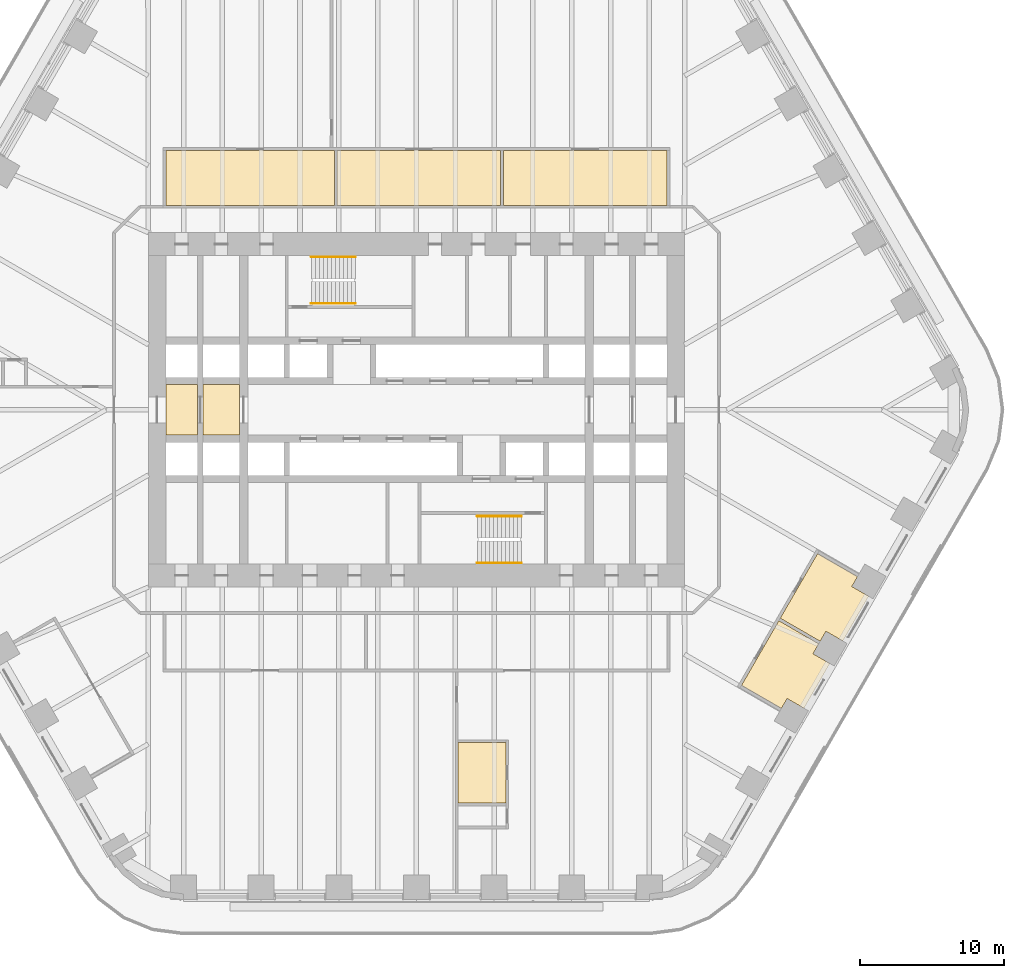
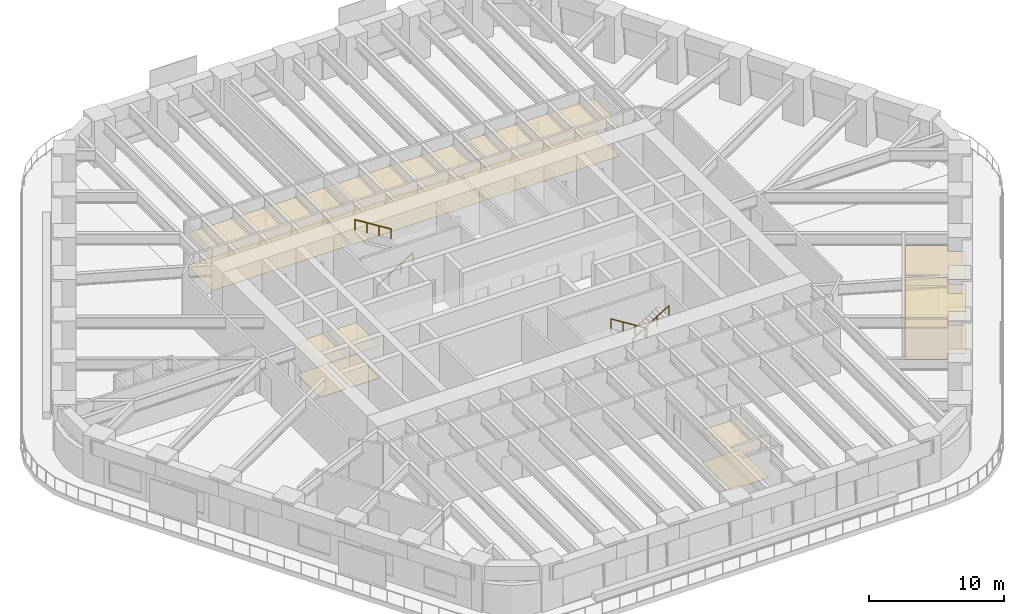
# One storey, part 21 of 23: 6 coverings, 4 railings.
"""IFC4 building model written with IfcOpenShell, lengths in metres."""

from ifc_helpers import new_model, si_unit, direction, frame, origin, origin_2d, place, context, subcontext, project, spatial, polyline, circle, outline, extrude, material, layer, layer_set, type_object, element, save


model = new_model("IFC4")

# Units and contexts
model_context = context("Model", 3, precision=1e-05, world=origin(), true_north=direction((0.0, 1.0)))
body_context = subcontext(model_context, "Body", "Model", "MODEL_VIEW")
ifc_project = project(units=[si_unit("LENGTHUNIT", "METRE"), si_unit("AREAUNIT", "SQUARE_METRE"), si_unit("VOLUMEUNIT", "CUBIC_METRE"), si_unit("PLANEANGLEUNIT", "RADIAN"), si_unit("MASSUNIT", "GRAM", prefix="KILO")], contexts=[model_context])

# Site, building, storey
site_placement = place(None, origin())
site = spatial("IfcSite", under=ifc_project, at=site_placement, CompositionType="ELEMENT")
building_placement = place(site_placement, origin())
building = spatial("IfcBuilding", under=site, at=building_placement, Name="Tarfa Lantern Tower", CompositionType="ELEMENT")
storey_placement = place(building_placement, frame((0.0, 0.0, 86.5)))
storey = spatial("IfcBuildingStorey", under=building, at=storey_placement, Name="L19", CompositionType="ELEMENT", Elevation=86.5)

# Coverings
ifc_material_1 = material(Name="Mineral fibre acoustic tile on suspension grid", Category="finish")
ifc_layer_1 = layer(ifc_material_1, 0.02001953125)
ifc_layer_set_1 = layer_set([ifc_layer_1], Name="CL1 ACOUSTIC TILE CEILING 20")
covering_type_1 = type_object("IfcCoveringType", Name="CL1 ACOUSTIC TILE CEILING 20", PredefinedType="CEILING", material=ifc_layer_set_1)
covering_1_placement = place(storey_placement, frame((0.0, 0.0, 2.89990234375)))
element("IfcCovering", 1, at=covering_1_placement, inside=storey, type_object=covering_type_1, Name="Ceiling L19 CL1", PredefinedType="CEILING", context=body_context, shape_type="SweptSolid", body=[
    extrude(outline(polyline([(-17.39990234375, 18.0), (-5.699951171875, 18.0), (-5.699951171875, 14.199951171875), (-17.39990234375, 14.199951171875), (-17.39990234375, 18.0)])), origin(), (0.0, 0.0, 1.0), 0.02001953125),
    extrude(outline(polyline([(-5.5, 18.0), (5.85009765625, 18.0), (5.85009765625, 14.199951171875), (-5.5, 14.199951171875), (-5.5, 18.0)])), origin(), (0.0, 0.0, 1.0), 0.02001953125),
    extrude(outline(polyline([(6.050048828125, 18.0), (17.39990234375, 18.0), (17.39990234375, 14.199951171875), (6.050048828125, 14.199951171875), (6.050048828125, 18.0)])), origin(), (0.0, 0.0, 1.0), 0.02001953125),
    extrude(outline(polyline([(25.1513671875, -14.63671875), (27.922607421875, -16.236572265625), (27.522705078125, -16.929443359375), (28.691650390625, -17.6044921875), (26.8974609375, -20.712158203125), (25.728271484375, -20.037353515625), (25.328369140625, -20.72998046875), (22.55712890625, -19.130126953125), (25.1513671875, -14.63671875)])), origin(), (0.0, 0.0, 1.0), 0.02001953125),
    extrude(outline(polyline([(27.845703125, -9.969970703125), (30.616943359375, -11.56982421875), (30.217041015625, -12.2626953125), (31.385986328125, -12.937744140625), (29.591796875, -16.045654296875), (28.422607421875, -15.37060546875), (28.022705078125, -16.0634765625), (25.251220703125, -14.46337890625), (27.845703125, -9.969970703125)])), origin(), (0.0, 0.0, 1.0), 0.02001953125),
    extrude(outline(polyline([(6.199951171875, -27.300048828125), (2.89990234375, -27.300048828125), (2.89990234375, -23.10009765625), (6.199951171875, -23.10009765625), (6.199951171875, -27.300048828125)])), origin(), (0.0, 0.0, 1.0), 0.02001953125),
])
ifc_material_2 = material(Name="Powder-coated aluminium panel", Category="aluminium")
ifc_layer_2 = layer(ifc_material_2, 0.030029296875)
ifc_layer_set_2 = layer_set([ifc_layer_2], Name="CL3 METAL PANEL CEILING 30")
covering_type_2 = type_object("IfcCoveringType", Name="CL3 METAL PANEL CEILING 30", PredefinedType="CEILING", material=ifc_layer_set_2)
covering_2_placement = place(storey_placement, frame((0.0, 0.0, 2.89990234375)))
element("IfcCovering", 2, at=covering_2_placement, inside=storey, type_object=covering_type_2, Name="Ceiling L19-01", PredefinedType="CEILING", context=body_context, shape_type="SweptSolid", body=[
    extrude(outline(polyline([(-17.39990234375, -1.75), (-15.199951171875, -1.75), (-15.199951171875, 1.75), (-17.39990234375, 1.75), (-17.39990234375, -1.75)])), origin(), (0.0, 0.0, 1.0), 0.030029296875),
])
covering_3_placement = place(storey_placement, frame((0.0, 0.0, 2.89990234375)))
element("IfcCovering", 3, at=covering_3_placement, inside=storey, type_object=covering_type_2, Name="Ceiling L19-02", PredefinedType="CEILING", context=body_context, shape_type="SweptSolid", body=[
    extrude(outline(polyline([(-14.800048828125, -1.75), (-12.300048828125, -1.75), (-12.300048828125, 1.75), (-14.800048828125, 1.75), (-14.800048828125, -1.75)])), origin(), (0.0, 0.0, 1.0), 0.030029296875),
])
ifc_material_3 = material(Name="Nylon carpet tile", Category="finish")
ifc_layer_3 = layer(ifc_material_3, 0.010009765625)
ifc_layer_set_3 = layer_set([ifc_layer_3], Name="FL1 CARPET TILE 10")
covering_type_3 = type_object("IfcCoveringType", Name="FL1 CARPET TILE 10", PredefinedType="FLOORING", material=ifc_layer_set_3)
covering_4_placement = place(storey_placement, origin())
element("IfcCovering", 4, at=covering_4_placement, inside=storey, type_object=covering_type_3, Name="Floor finish L19 FL1", PredefinedType="FLOORING", context=body_context, shape_type="SweptSolid", body=[
    extrude(outline(polyline([(-17.39990234375, 18.0), (-5.699951171875, 18.0), (-5.699951171875, 14.199951171875), (-17.39990234375, 14.199951171875), (-17.39990234375, 18.0)])), origin(), (0.0, 0.0, 1.0), 0.010009765625),
    extrude(outline(polyline([(-5.5, 18.0), (5.85009765625, 18.0), (5.85009765625, 14.199951171875), (-5.5, 14.199951171875), (-5.5, 18.0)])), origin(), (0.0, 0.0, 1.0), 0.010009765625),
    extrude(outline(polyline([(6.050048828125, 18.0), (17.39990234375, 18.0), (17.39990234375, 14.199951171875), (6.050048828125, 14.199951171875), (6.050048828125, 18.0)])), origin(), (0.0, 0.0, 1.0), 0.010009765625),
    extrude(outline(polyline([(25.1513671875, -14.63671875), (27.922607421875, -16.236572265625), (27.522705078125, -16.929443359375), (28.691650390625, -17.6044921875), (26.8974609375, -20.712158203125), (25.728271484375, -20.037353515625), (25.328369140625, -20.72998046875), (22.55712890625, -19.130126953125), (25.1513671875, -14.63671875)])), origin(), (0.0, 0.0, 1.0), 0.010009765625),
    extrude(outline(polyline([(27.845703125, -9.969970703125), (30.616943359375, -11.56982421875), (30.217041015625, -12.2626953125), (31.385986328125, -12.937744140625), (29.591796875, -16.045654296875), (28.422607421875, -15.37060546875), (28.022705078125, -16.0634765625), (25.251220703125, -14.46337890625), (27.845703125, -9.969970703125)])), origin(), (0.0, 0.0, 1.0), 0.010009765625),
    extrude(outline(polyline([(6.199951171875, -27.300048828125), (2.89990234375, -27.300048828125), (2.89990234375, -23.10009765625), (6.199951171875, -23.10009765625), (6.199951171875, -27.300048828125)])), origin(), (0.0, 0.0, 1.0), 0.010009765625),
])
ifc_material_4 = material(Name="Honed limestone flooring", Category="masonry")
ifc_layer_4 = layer(ifc_material_4, 0.030029296875)
ifc_layer_set_4 = layer_set([ifc_layer_4], Name="FL2 STONE FLOORING 30")
covering_type_4 = type_object("IfcCoveringType", Name="FL2 STONE FLOORING 30", PredefinedType="FLOORING", material=ifc_layer_set_4)
covering_5_placement = place(storey_placement, origin())
element("IfcCovering", 5, at=covering_5_placement, inside=storey, type_object=covering_type_4, Name="Floor finish L19-01", PredefinedType="FLOORING", context=body_context, shape_type="SweptSolid", body=[
    extrude(outline(polyline([(-17.39990234375, -1.75), (-15.199951171875, -1.75), (-15.199951171875, 1.75), (-17.39990234375, 1.75), (-17.39990234375, -1.75)])), origin(), (0.0, 0.0, 1.0), 0.030029296875),
])
covering_6_placement = place(storey_placement, origin())
element("IfcCovering", 6, at=covering_6_placement, inside=storey, type_object=covering_type_4, Name="Floor finish L19-02", PredefinedType="FLOORING", context=body_context, shape_type="SweptSolid", body=[
    extrude(outline(polyline([(-14.800048828125, -1.75), (-12.300048828125, -1.75), (-12.300048828125, 1.75), (-14.800048828125, 1.75), (-14.800048828125, -1.75)])), origin(), (0.0, 0.0, 1.0), 0.030029296875),
])

# Railings
ifc_material_5 = material(Name="Stainless steel", Category="steel")
railing_type = type_object("IfcRailingType", Name="HR1 HANDRAIL 900", PredefinedType="HANDRAIL", material=ifc_material_5)
railing_1_placement = place(storey_placement, frame((-7.300048828125, 7.3798828125, 0.175048828125)))
element("IfcRailing", 7, at=railing_1_placement, inside=storey, type_object=railing_type, Name="Handrail 1", PredefinedType="HANDRAIL", context=body_context, shape_type="SweptSolid", body=[
    extrude(circle(Radius=0.02392578125, at=origin_2d()), frame((0.0, 0.0, 0.8759765625), z_axis=(0.847998304005, 0.0, 0.529998940003), x_axis=(0.0, 1.0, 0.0)), (0.0, 0.0, 1.0), 3.632080078125),
    extrude(circle(Radius=0.02099609375, at=origin_2d()), frame((0.0, 0.0, 0.0), z_axis=(0.0, 0.0, 1.0), x_axis=(0.0, 1.0, 0.0)), (0.0, 0.0, 1.0), 0.851806640625),
    extrude(circle(Radius=0.02099609375, at=origin_2d()), frame((1.026611328125, 0.0, 0.6416015625), z_axis=(0.0, 0.0, 1.0), x_axis=(0.0, 1.0, 0.0)), (0.0, 0.0, 1.0), 0.851806640625),
    extrude(circle(Radius=0.02099609375, at=origin_2d()), frame((2.053466796875, 0.0, 1.283447265625), z_axis=(0.0, 0.0, 1.0), x_axis=(0.0, 1.0, 0.0)), (0.0, 0.0, 1.0), 0.851806640625),
    extrude(circle(Radius=0.02099609375, at=origin_2d()), frame((3.080078125, 0.0, 1.925048828125), z_axis=(0.0, 0.0, 1.0), x_axis=(0.0, 1.0, 0.0)), (0.0, 0.0, 1.0), 0.851806640625),
])
for number, where, name in (
    (8, (-4.219970703125, 10.6201171875, 2.27490234375), "Handrail 2"),
    (9, (7.300048828125, -7.3798828125, 0.175048828125), "Handrail 1"),
):
    element("IfcRailing", number, at=place(storey_placement, frame(where)), inside=storey, type_object=railing_type, Name=name, PredefinedType="HANDRAIL", context=body_context, shape_type="SweptSolid", body=[
        extrude(circle(Radius=0.02392578125, at=origin_2d()), frame((0.0, 0.0, 0.8759765625), z_axis=(-0.847998304005, 0.0, 0.529998940003), x_axis=(0.0, -1.0, 0.0)), (0.0, 0.0, 1.0), 3.632080078125),
        extrude(circle(Radius=0.02099609375, at=origin_2d()), frame((0.0, 0.0, 0.0), z_axis=(0.0, 0.0, 1.0), x_axis=(0.0, -1.0, 0.0)), (0.0, 0.0, 1.0), 0.851806640625),
        extrude(circle(Radius=0.02099609375, at=origin_2d()), frame((-1.026611328125, 0.0, 0.6416015625), z_axis=(0.0, 0.0, 1.0), x_axis=(0.0, -1.0, 0.0)), (0.0, 0.0, 1.0), 0.851806640625),
        extrude(circle(Radius=0.02099609375, at=origin_2d()), frame((-2.053466796875, 0.0, 1.283447265625), z_axis=(0.0, 0.0, 1.0), x_axis=(0.0, -1.0, 0.0)), (0.0, 0.0, 1.0), 0.851806640625),
        extrude(circle(Radius=0.02099609375, at=origin_2d()), frame((-3.080078125, 0.0, 1.925048828125), z_axis=(0.0, 0.0, 1.0), x_axis=(0.0, -1.0, 0.0)), (0.0, 0.0, 1.0), 0.851806640625),
    ])
railing_2_placement = place(storey_placement, frame((4.219970703125, -10.6201171875, 2.27490234375)))
element("IfcRailing", 10, at=railing_2_placement, inside=storey, type_object=railing_type, Name="Handrail 2", PredefinedType="HANDRAIL", context=body_context, shape_type="SweptSolid", body=[
    extrude(circle(Radius=0.02392578125, at=origin_2d()), frame((0.0, 0.0, 0.8759765625), z_axis=(0.847998304005, 0.0, 0.529998940003), x_axis=(0.0, 1.0, 0.0)), (0.0, 0.0, 1.0), 3.632080078125),
    extrude(circle(Radius=0.02099609375, at=origin_2d()), frame((0.0, 0.0, 0.0), z_axis=(0.0, 0.0, 1.0), x_axis=(0.0, 1.0, 0.0)), (0.0, 0.0, 1.0), 0.851806640625),
    extrude(circle(Radius=0.02099609375, at=origin_2d()), frame((1.026611328125, 0.0, 0.6416015625), z_axis=(0.0, 0.0, 1.0), x_axis=(0.0, 1.0, 0.0)), (0.0, 0.0, 1.0), 0.851806640625),
    extrude(circle(Radius=0.02099609375, at=origin_2d()), frame((2.053466796875, 0.0, 1.283447265625), z_axis=(0.0, 0.0, 1.0), x_axis=(0.0, 1.0, 0.0)), (0.0, 0.0, 1.0), 0.851806640625),
    extrude(circle(Radius=0.02099609375, at=origin_2d()), frame((3.080078125, 0.0, 1.925048828125), z_axis=(0.0, 0.0, 1.0), x_axis=(0.0, 1.0, 0.0)), (0.0, 0.0, 1.0), 0.851806640625),
])

save(model, "model.ifc")
